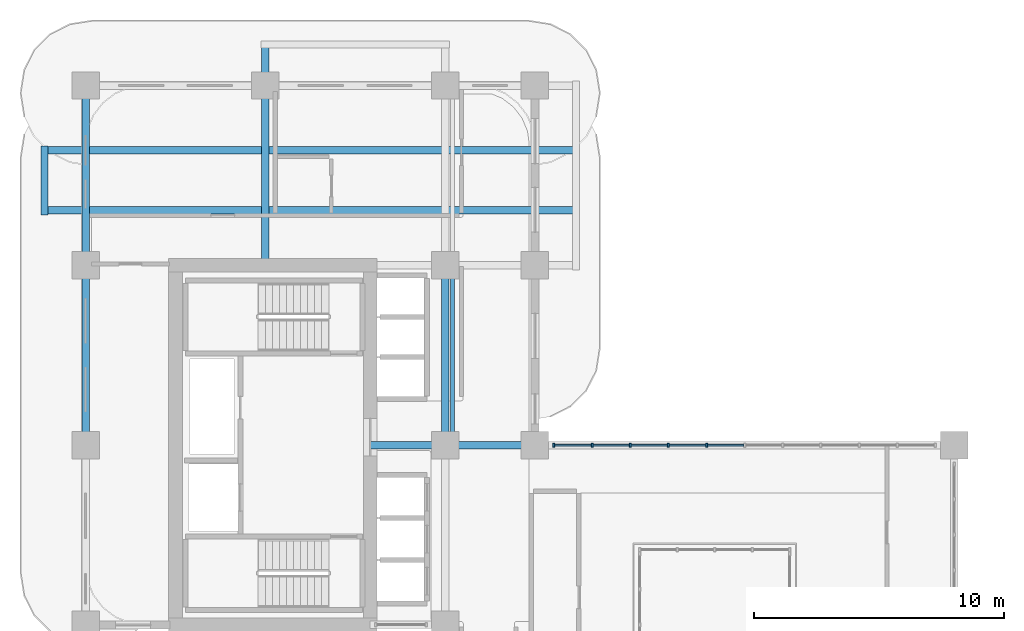
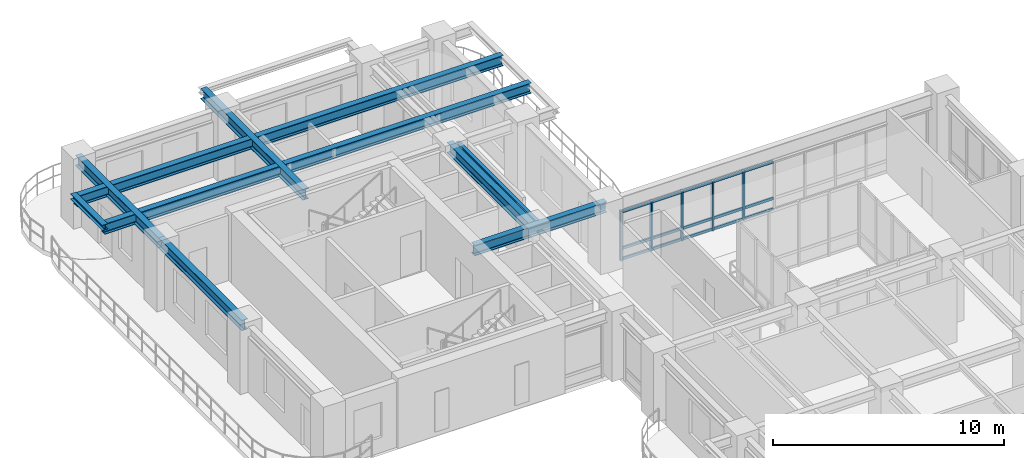
# One storey, part 6 of 22: 20 members, 9 beams, 1 element without a shape of its own.
"""IFC4 building model written with IfcOpenShell, lengths in metres."""

from ifc_helpers import new_model, si_unit, derived_unit, direction, frame, origin, origin_2d, place, context, subcontext, project, spatial, rectangle, i_section, extrude, source, transform, mapped, material, layer, layer_set, material_profile, profile_set, type_object, type_shapes, element, aggregate, save


model = new_model("IFC4")

# Units and contexts
model_context = context("Model", 3, precision=1e-05, world=origin(), true_north=direction((0.0, 1.0)))
body_context = subcontext(model_context, "Body", "Model", "MODEL_VIEW")
ifc_project = project(units=[si_unit("LENGTHUNIT", "METRE"), si_unit("AREAUNIT", "SQUARE_METRE"), si_unit("VOLUMEUNIT", "CUBIC_METRE"), si_unit("PLANEANGLEUNIT", "RADIAN"), si_unit("MASSUNIT", "GRAM", prefix="KILO"), si_unit("THERMODYNAMICTEMPERATUREUNIT", "KELVIN"), si_unit("POWERUNIT", "WATT"), derived_unit("THERMALTRANSMITTANCEUNIT", [(si_unit("POWERUNIT", "WATT"), 1), (si_unit("AREAUNIT", "SQUARE_METRE"), -1), (si_unit("THERMODYNAMICTEMPERATUREUNIT", "KELVIN"), -1)])], contexts=[model_context])

# Site, building, storey
site_placement = place(None, origin())
site = spatial("IfcSite", under=ifc_project, at=site_placement, CompositionType="ELEMENT")
building_placement = place(site_placement, origin())
building = spatial("IfcBuilding", under=site, at=building_placement, Name="Zahravan Archway Hotel and Residences", CompositionType="ELEMENT")
storey_placement = place(building_placement, frame((0.0, 0.0, 76.800048828125)))
storey = spatial("IfcBuildingStorey", under=building, at=storey_placement, Name="L18", CompositionType="ELEMENT", Elevation=76.800048828125)

# Beams
ifc_material_1 = material(Name="Structural Steel S355JR", Category="steel")
ifc_material_profile_1 = material_profile(ifc_material_1, i_section(OverallWidth=0.280029296875, OverallDepth=0.280029296875, WebThickness=0.010498046875, FlangeThickness=0.01806640625, FilletRadius=0.02392578125, at=origin_2d()), Name="HEB 280", Category="steel")
ifc_profile_set_1 = profile_set([ifc_material_profile_1], Name="Structural Steel S355JR")
beam_type_1 = type_object("IfcBeamType", Name="BM-SPN-HEB280", PredefinedType="SPANDREL", material=ifc_profile_set_1)
shared_shape_1 = source(origin(), body_context, "Body", "SweptSolid", [
    extrude(i_section(OverallWidth=0.280029296875, OverallDepth=0.280029296875, WebThickness=0.010498046875, FlangeThickness=0.01806640625, FilletRadius=0.02392578125, at=origin_2d()), origin(), (0.0, 0.0, 1.0), 2.759765625),
])
beam_1_placement = place(storey_placement, frame((-1.64990234375, 41.6201171875, 3.31005859375), z_axis=(0.0, 1.0, 0.0), x_axis=(-1.0, 0.0, 0.0)))
element("IfcBeam", 1, at=beam_1_placement, inside=storey, type_object=beam_type_1, Name="L19 WB Balcony Edge Spandrel", PredefinedType="SPANDREL", context=body_context, shape_type="MappedRepresentation", body=[
    mapped(shared_shape_1, transform((0.0, 0.0, 0.0), scale=1.0)),
])
ifc_material_profile_2 = material_profile(ifc_material_1, i_section(OverallWidth=0.300048828125, OverallDepth=0.550048828125, WebThickness=0.014892578125, FlangeThickness=0.029052734375, FilletRadius=0.027099609375, at=origin_2d()), Name="HEB 550", Category="steel")
ifc_profile_set_2 = profile_set([ifc_material_profile_2], Name="Structural Steel S355JR")
beam_type_2 = type_object("IfcBeamType", Name="BM-PRI-HEB550", PredefinedType="BEAM", material=ifc_profile_set_2)
shared_shape_2 = source(origin(), body_context, "Body", "SweptSolid", [
    extrude(i_section(OverallWidth=0.300048828125, OverallDepth=0.550048828125, WebThickness=0.014892578125, FlangeThickness=0.029052734375, FilletRadius=0.027099609375, at=origin_2d()), origin(), (0.0, 0.0, 1.0), 7.2001953125),
])
type_shapes(beam_type_2, [shared_shape_2])
for number, where, z_axis, x_axis, name in (
    (2, (0.0, 32.39990234375, 3.175048828125), (0.0, 1.0, 0.0), (-1.0, 0.0, 0.0), "L18 Primary Girder NS-29"),
    (3, (14.39990234375, 32.39990234375, 3.175048828125), (0.0, 1.0, 0.0), (-1.0, 0.0, 0.0), "L18 Primary Girder NS-37"),
):
    element("IfcBeam", number, at=place(storey_placement, frame(where, z_axis=z_axis, x_axis=x_axis)), inside=storey, type_object=beam_type_2, Name=name, PredefinedType="BEAM", context=body_context, shape_type="MappedRepresentation", body=[
        mapped(shared_shape_2, transform((0.0, 0.0, 0.0), scale=1.0)),
    ])
shared_shape_3 = source(origin(), body_context, "Body", "SweptSolid", [
    extrude(i_section(OverallWidth=0.300048828125, OverallDepth=0.550048828125, WebThickness=0.014892578125, FlangeThickness=0.029052734375, FilletRadius=0.027099609375, at=origin_2d()), origin(), (0.0, 0.0, 1.0), 7.199951171875),
])
beam_2_placement = place(storey_placement, frame((0.0, 39.60009765625, 3.175048828125), z_axis=(0.0, 1.0, 0.0), x_axis=(-1.0, 0.0, 0.0)))
element("IfcBeam", 4, at=beam_2_placement, inside=storey, type_object=beam_type_2, Name="L18 Primary Girder NS-30", PredefinedType="BEAM", context=body_context, shape_type="MappedRepresentation", body=[
    mapped(shared_shape_3, transform((0.0, 0.0, 0.0), scale=1.0)),
])
shared_shape_4 = source(origin(), body_context, "Body", "SweptSolid", [
    extrude(i_section(OverallWidth=0.300048828125, OverallDepth=0.550048828125, WebThickness=0.014892578125, FlangeThickness=0.029052734375, FilletRadius=0.027099609375, at=origin_2d()), origin(), (0.0, 0.0, 1.0), 6.60009765625),
])
beam_3_placement = place(storey_placement, frame((11.39990234375, 32.39990234375, 3.175048828125), z_axis=(1.0, 0.0, 0.0), x_axis=(0.0, 1.0, 0.0)))
element("IfcBeam", 5, at=beam_3_placement, inside=storey, type_object=beam_type_2, Name="L18 Primary Girder EW-21", PredefinedType="BEAM", context=body_context, shape_type="MappedRepresentation", body=[
    mapped(shared_shape_4, transform((0.0, 0.0, 0.0), scale=1.0)),
])
shared_shape_5 = source(origin(), body_context, "Body", "SweptSolid", [
    extrude(i_section(OverallWidth=0.300048828125, OverallDepth=0.550048828125, WebThickness=0.014892578125, FlangeThickness=0.029052734375, FilletRadius=0.027099609375, at=origin_2d()), origin(), (0.0, 0.0, 1.0), 21.2998046875),
])
for number, where, z_axis, x_axis, name in (
    (6, (-1.64990234375, 41.800048828125, 3.175048828125), (1.0, 0.0, 0.0), (0.0, 1.0, 0.0), "L18 Primary Girder EW-26"),
    (7, (-1.64990234375, 44.199951171875, 3.175048828125), (1.0, 0.0, 0.0), (0.0, 1.0, 0.0), "L18 Primary Girder EW-27"),
):
    element("IfcBeam", number, at=place(storey_placement, frame(where, z_axis=z_axis, x_axis=x_axis)), inside=storey, type_object=beam_type_2, Name=name, PredefinedType="BEAM", context=body_context, shape_type="MappedRepresentation", body=[
        mapped(shared_shape_5, transform((0.0, 0.0, 0.0), scale=1.0)),
    ])
shared_shape_6 = source(origin(), body_context, "Body", "SweptSolid", [
    extrude(i_section(OverallWidth=0.300048828125, OverallDepth=0.550048828125, WebThickness=0.014892578125, FlangeThickness=0.029052734375, FilletRadius=0.027099609375, at=origin_2d()), origin(), (0.0, 0.0, 1.0), 8.849853515625),
])
beam_4_placement = place(storey_placement, frame((7.199951171875, 39.60009765625, 3.175048828125), z_axis=(0.0, 1.0, 0.0), x_axis=(-1.0, 0.0, 0.0)))
element("IfcBeam", 8, at=beam_4_placement, inside=storey, type_object=beam_type_2, Name="L18 Primary Girder NS-31", PredefinedType="BEAM", context=body_context, shape_type="MappedRepresentation", body=[
    mapped(shared_shape_6, transform((0.0, 0.0, 0.0), scale=1.0)),
])
ifc_material_profile_3 = material_profile(ifc_material_1, i_section(OverallWidth=0.169921875, OverallDepth=0.360107421875, WebThickness=0.008056640625, FlangeThickness=0.0126953125, FilletRadius=0.01806640625, at=origin_2d()), Name="IPE 360", Category="steel")
ifc_profile_set_3 = profile_set([ifc_material_profile_3], Name="Structural Steel S355JR")
beam_type_3 = type_object("IfcBeamType", Name="BM-JST-IPE360", PredefinedType="JOIST", material=ifc_profile_set_3)
shared_shape_7 = source(origin(), body_context, "Body", "SweptSolid", [
    extrude(i_section(OverallWidth=0.169921875, OverallDepth=0.360107421875, WebThickness=0.008056640625, FlangeThickness=0.0126953125, FilletRadius=0.01806640625, at=origin_2d()), origin(), (0.0, 0.0, 1.0), 6.90380859375),
])
beam_5_placement = place(storey_placement, frame((14.699951171875, 32.548095703125, 3.27001953125), z_axis=(0.0, 1.0, 0.0), x_axis=(-1.0, 0.0, 0.0)))
element("IfcBeam", 9, at=beam_5_placement, inside=storey, type_object=beam_type_3, Name="L18 Composite Floor Joist 13", PredefinedType="JOIST", context=body_context, shape_type="MappedRepresentation", body=[
    mapped(shared_shape_7, transform((0.0, 0.0, 0.0), scale=1.0)),
])

# Curtain wall, members
ifc_material_2 = material(Name="Bronze-Anodized Unitised Aluminium & Low-E Glass", Category="aluminium")
ifc_layer = layer(ifc_material_2, 0.179931640625, Name="Bronze-Anodized Unitised Aluminium & Low-E Glass", Category="aluminium")
ifc_layer_set = layer_set([ifc_layer], Name="Bronze-Anodized Unitised Aluminium & Low-E Glass")
curtain_wall_type = type_object("IfcCurtainWallType", Name="CW-ATR-GLAZ", PredefinedType="NOTDEFINED", material=ifc_layer_set)
curtain_wall_placement = place(storey_placement, origin())
curtain_wall = element("IfcCurtainWall", 10, at=curtain_wall_placement, inside=storey, type_object=curtain_wall_type, Name="L18 Curtain Wall CW-L18-HNG-N-1", PredefinedType="NOTDEFINED")
ifc_material_3 = material(Name="Bronze-Anodized Extruded Aluminium", Category="aluminium")
ifc_material_profile_4 = material_profile(ifc_material_3, rectangle(XDim=0.080078125, YDim=0.159912109375, at=origin_2d()), Name="MUL 80x160", Category="aluminium")
ifc_profile_set_4 = profile_set([ifc_material_profile_4], Name="Bronze-Anodized Extruded Aluminium")
member_type_1 = type_object("IfcMemberType", Name="CWM-MUL-160", PredefinedType="MULLION", material=ifc_profile_set_4)
shared_shape_8 = source(origin(), body_context, "Body", "SweptSolid", [
    extrude(rectangle(XDim=0.080078125, YDim=0.159912109375, at=origin_2d()), origin(), (0.0, 0.0, 1.0), 2.635009765625),
])
member_1_placement = place(storey_placement, frame((18.760009765625, 32.39990234375, 0.0), z_axis=(0.0, 0.0, 1.0), x_axis=(1.0, 0.0, 0.0)))
member_1 = element("IfcMember", 11, at=member_1_placement, type_object=member_type_1, Name="CW-L18-HNG-N-1 Mullion 0", PredefinedType="MULLION", context=body_context, shape_type="MappedRepresentation", body=[
    mapped(shared_shape_8, transform((0.0, 0.0, 0.0), scale=1.0)),
])
member_2_placement = place(storey_placement, frame((20.2880859375, 32.39990234375, 0.0), z_axis=(0.0, 0.0, 1.0), x_axis=(1.0, 0.0, 0.0)))
member_2 = element("IfcMember", 12, at=member_2_placement, type_object=member_type_1, Name="CW-L18-HNG-N-1 Mullion 1", PredefinedType="MULLION", context=body_context, shape_type="MappedRepresentation", body=[
    mapped(shared_shape_8, transform((0.0, 0.0, 0.0), scale=1.0)),
])
member_3_placement = place(storey_placement, frame((21.81591796875, 32.39990234375, 0.0), z_axis=(0.0, 0.0, 1.0), x_axis=(1.0, 0.0, 0.0)))
member_3 = element("IfcMember", 13, at=member_3_placement, type_object=member_type_1, Name="CW-L18-HNG-N-1 Mullion 2", PredefinedType="MULLION", context=body_context, shape_type="MappedRepresentation", body=[
    mapped(shared_shape_8, transform((0.0, 0.0, 0.0), scale=1.0)),
])
member_4_placement = place(storey_placement, frame((23.343994140625, 32.39990234375, 0.0), z_axis=(0.0, 0.0, 1.0), x_axis=(1.0, 0.0, 0.0)))
member_4 = element("IfcMember", 14, at=member_4_placement, type_object=member_type_1, Name="CW-L18-HNG-N-1 Mullion 3", PredefinedType="MULLION", context=body_context, shape_type="MappedRepresentation", body=[
    mapped(shared_shape_8, transform((0.0, 0.0, 0.0), scale=1.0)),
])
member_5_placement = place(storey_placement, frame((24.8720703125, 32.39990234375, 0.0), z_axis=(0.0, 0.0, 1.0), x_axis=(1.0, 0.0, 0.0)))
member_5 = element("IfcMember", 15, at=member_5_placement, type_object=member_type_1, Name="CW-L18-HNG-N-1 Mullion 4", PredefinedType="MULLION", context=body_context, shape_type="MappedRepresentation", body=[
    mapped(shared_shape_8, transform((0.0, 0.0, 0.0), scale=1.0)),
])
ifc_material_profile_5 = material_profile(ifc_material_3, rectangle(XDim=0.080078125, YDim=0.139892578125, at=origin_2d()), Name="TRN 80x140", Category="aluminium")
ifc_profile_set_5 = profile_set([ifc_material_profile_5], Name="Bronze-Anodized Extruded Aluminium")
member_type_2 = type_object("IfcMemberType", Name="CWM-TRN-140", PredefinedType="USERDEFINED", material=ifc_profile_set_5)
shared_shape_9 = source(origin(), body_context, "Body", "SweptSolid", [
    extrude(rectangle(XDim=0.080078125, YDim=0.139892578125, at=origin_2d()), origin(), (0.0, 0.0, 1.0), 1.447998046875),
])
member_6_placement = place(storey_placement, frame((18.800048828125, 32.39990234375, 0.070068359375), z_axis=(1.0, 0.0, 0.0), x_axis=(0.0, 1.0, 0.0)))
member_6 = element("IfcMember", 16, at=member_6_placement, type_object=member_type_2, Name="CW-L18-HNG-N-1 Transom 0-1", ObjectType="TRANSOM", PredefinedType="USERDEFINED", context=body_context, shape_type="MappedRepresentation", body=[
    mapped(shared_shape_9, transform((0.0, 0.0, 0.0), scale=1.0)),
])
member_7_placement = place(storey_placement, frame((18.800048828125, 32.39990234375, 0.63232421875), z_axis=(1.0, 0.0, 0.0), x_axis=(0.0, 1.0, 0.0)))
member_7 = element("IfcMember", 17, at=member_7_placement, type_object=member_type_2, Name="CW-L18-HNG-N-1 Transom 0-2", ObjectType="TRANSOM", PredefinedType="USERDEFINED", context=body_context, shape_type="MappedRepresentation", body=[
    mapped(shared_shape_9, transform((0.0, 0.0, 0.0), scale=1.0)),
])
member_8_placement = place(storey_placement, frame((18.800048828125, 32.39990234375, 2.56494140625), z_axis=(1.0, 0.0, 0.0), x_axis=(0.0, 1.0, 0.0)))
member_8 = element("IfcMember", 18, at=member_8_placement, type_object=member_type_2, Name="CW-L18-HNG-N-1 Transom 0-3", ObjectType="TRANSOM", PredefinedType="USERDEFINED", context=body_context, shape_type="MappedRepresentation", body=[
    mapped(shared_shape_9, transform((0.0, 0.0, 0.0), scale=1.0)),
])
member_9_placement = place(storey_placement, frame((20.327880859375, 32.39990234375, 0.070068359375), z_axis=(1.0, 0.0, 0.0), x_axis=(0.0, 1.0, 0.0)))
member_9 = element("IfcMember", 19, at=member_9_placement, type_object=member_type_2, Name="CW-L18-HNG-N-1 Transom 1-1", ObjectType="TRANSOM", PredefinedType="USERDEFINED", context=body_context, shape_type="MappedRepresentation", body=[
    mapped(shared_shape_9, transform((0.0, 0.0, 0.0), scale=1.0)),
])
member_10_placement = place(storey_placement, frame((20.327880859375, 32.39990234375, 0.63232421875), z_axis=(1.0, 0.0, 0.0), x_axis=(0.0, 1.0, 0.0)))
member_10 = element("IfcMember", 20, at=member_10_placement, type_object=member_type_2, Name="CW-L18-HNG-N-1 Transom 1-2", ObjectType="TRANSOM", PredefinedType="USERDEFINED", context=body_context, shape_type="MappedRepresentation", body=[
    mapped(shared_shape_9, transform((0.0, 0.0, 0.0), scale=1.0)),
])
member_11_placement = place(storey_placement, frame((20.327880859375, 32.39990234375, 2.56494140625), z_axis=(1.0, 0.0, 0.0), x_axis=(0.0, 1.0, 0.0)))
member_11 = element("IfcMember", 21, at=member_11_placement, type_object=member_type_2, Name="CW-L18-HNG-N-1 Transom 1-3", ObjectType="TRANSOM", PredefinedType="USERDEFINED", context=body_context, shape_type="MappedRepresentation", body=[
    mapped(shared_shape_9, transform((0.0, 0.0, 0.0), scale=1.0)),
])
member_12_placement = place(storey_placement, frame((21.85595703125, 32.39990234375, 0.070068359375), z_axis=(1.0, 0.0, 0.0), x_axis=(0.0, 1.0, 0.0)))
member_12 = element("IfcMember", 22, at=member_12_placement, type_object=member_type_2, Name="CW-L18-HNG-N-1 Transom 2-1", ObjectType="TRANSOM", PredefinedType="USERDEFINED", context=body_context, shape_type="MappedRepresentation", body=[
    mapped(shared_shape_9, transform((0.0, 0.0, 0.0), scale=1.0)),
])
member_13_placement = place(storey_placement, frame((21.85595703125, 32.39990234375, 0.63232421875), z_axis=(1.0, 0.0, 0.0), x_axis=(0.0, 1.0, 0.0)))
member_13 = element("IfcMember", 23, at=member_13_placement, type_object=member_type_2, Name="CW-L18-HNG-N-1 Transom 2-2", ObjectType="TRANSOM", PredefinedType="USERDEFINED", context=body_context, shape_type="MappedRepresentation", body=[
    mapped(shared_shape_9, transform((0.0, 0.0, 0.0), scale=1.0)),
])
member_14_placement = place(storey_placement, frame((21.85595703125, 32.39990234375, 2.56494140625), z_axis=(1.0, 0.0, 0.0), x_axis=(0.0, 1.0, 0.0)))
member_14 = element("IfcMember", 24, at=member_14_placement, type_object=member_type_2, Name="CW-L18-HNG-N-1 Transom 2-3", ObjectType="TRANSOM", PredefinedType="USERDEFINED", context=body_context, shape_type="MappedRepresentation", body=[
    mapped(shared_shape_9, transform((0.0, 0.0, 0.0), scale=1.0)),
])
member_15_placement = place(storey_placement, frame((23.384033203125, 32.39990234375, 0.070068359375), z_axis=(1.0, 0.0, 0.0), x_axis=(0.0, 1.0, 0.0)))
member_15 = element("IfcMember", 25, at=member_15_placement, type_object=member_type_2, Name="CW-L18-HNG-N-1 Transom 3-1", ObjectType="TRANSOM", PredefinedType="USERDEFINED", context=body_context, shape_type="MappedRepresentation", body=[
    mapped(shared_shape_9, transform((0.0, 0.0, 0.0), scale=1.0)),
])
member_16_placement = place(storey_placement, frame((23.384033203125, 32.39990234375, 0.63232421875), z_axis=(1.0, 0.0, 0.0), x_axis=(0.0, 1.0, 0.0)))
member_16 = element("IfcMember", 26, at=member_16_placement, type_object=member_type_2, Name="CW-L18-HNG-N-1 Transom 3-2", ObjectType="TRANSOM", PredefinedType="USERDEFINED", context=body_context, shape_type="MappedRepresentation", body=[
    mapped(shared_shape_9, transform((0.0, 0.0, 0.0), scale=1.0)),
])
member_17_placement = place(storey_placement, frame((23.384033203125, 32.39990234375, 2.56494140625), z_axis=(1.0, 0.0, 0.0), x_axis=(0.0, 1.0, 0.0)))
member_17 = element("IfcMember", 27, at=member_17_placement, type_object=member_type_2, Name="CW-L18-HNG-N-1 Transom 3-3", ObjectType="TRANSOM", PredefinedType="USERDEFINED", context=body_context, shape_type="MappedRepresentation", body=[
    mapped(shared_shape_9, transform((0.0, 0.0, 0.0), scale=1.0)),
])
member_18_placement = place(storey_placement, frame((24.912109375, 32.39990234375, 0.070068359375), z_axis=(1.0, 0.0, 0.0), x_axis=(0.0, 1.0, 0.0)))
member_18 = element("IfcMember", 28, at=member_18_placement, type_object=member_type_2, Name="CW-L18-HNG-N-1 Transom 4-1", ObjectType="TRANSOM", PredefinedType="USERDEFINED", context=body_context, shape_type="MappedRepresentation", body=[
    mapped(shared_shape_9, transform((0.0, 0.0, 0.0), scale=1.0)),
])
member_19_placement = place(storey_placement, frame((24.912109375, 32.39990234375, 0.63232421875), z_axis=(1.0, 0.0, 0.0), x_axis=(0.0, 1.0, 0.0)))
member_19 = element("IfcMember", 29, at=member_19_placement, type_object=member_type_2, Name="CW-L18-HNG-N-1 Transom 4-2", ObjectType="TRANSOM", PredefinedType="USERDEFINED", context=body_context, shape_type="MappedRepresentation", body=[
    mapped(shared_shape_9, transform((0.0, 0.0, 0.0), scale=1.0)),
])
member_20_placement = place(storey_placement, frame((24.912109375, 32.39990234375, 2.56494140625), z_axis=(1.0, 0.0, 0.0), x_axis=(0.0, 1.0, 0.0)))
member_20 = element("IfcMember", 30, at=member_20_placement, type_object=member_type_2, Name="CW-L18-HNG-N-1 Transom 4-3", ObjectType="TRANSOM", PredefinedType="USERDEFINED", context=body_context, shape_type="MappedRepresentation", body=[
    mapped(shared_shape_9, transform((0.0, 0.0, 0.0), scale=1.0)),
])
aggregate(curtain_wall, [member_1, member_2, member_3, member_4, member_5, member_6, member_7, member_8, member_9, member_10, member_11, member_12, member_13, member_14, member_15, member_16, member_17, member_18, member_19, member_20])

save(model, "model.ifc")
